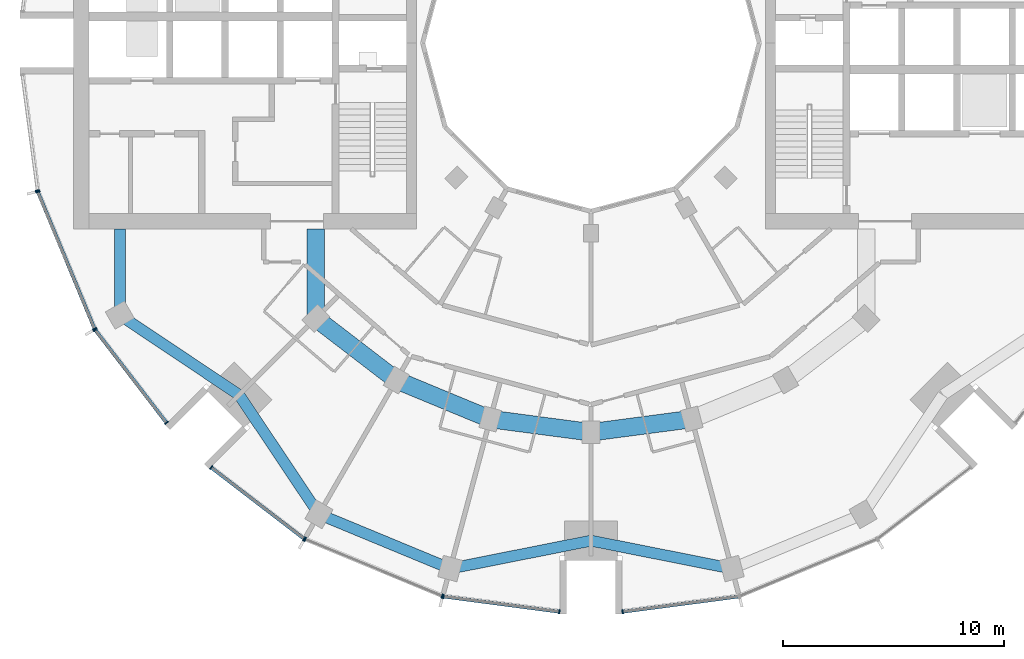
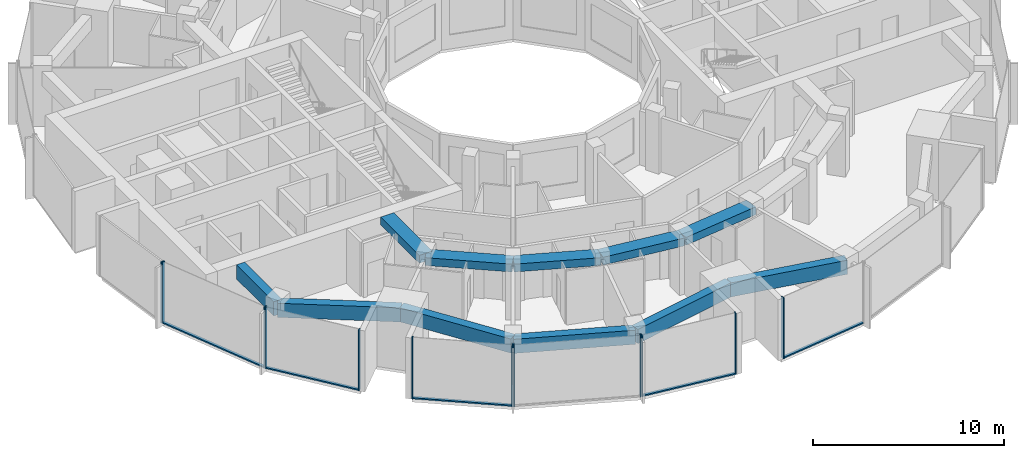
# One storey, part 2 of 15: 17 members, 11 beams, 7 elements without a shape of their own.
"""IFC4 building model written with IfcOpenShell, lengths in metres."""

from ifc_helpers import new_model, si_unit, direction, frame, origin, origin_2d, place, context, subcontext, project, spatial, rectangle, extrude, material, layer, layer_set, material_profile, profile_set, type_object, element, aggregate, save


model = new_model("IFC4")

# Units and contexts
model_context = context("Model", 3, precision=1e-05, world=origin(), true_north=direction((0.0, 1.0)))
body_context = subcontext(model_context, "Body", "Model", "MODEL_VIEW")
ifc_project = project(units=[si_unit("LENGTHUNIT", "METRE"), si_unit("AREAUNIT", "SQUARE_METRE"), si_unit("VOLUMEUNIT", "CUBIC_METRE"), si_unit("PLANEANGLEUNIT", "RADIAN"), si_unit("MASSUNIT", "GRAM", prefix="KILO")], contexts=[model_context])

# Site, building, storey
site_placement = place(None, origin())
site = spatial("IfcSite", under=ifc_project, at=site_placement, CompositionType="ELEMENT")
building_placement = place(site_placement, origin())
building = spatial("IfcBuilding", under=site, at=building_placement, Name="Torre Brocal", CompositionType="ELEMENT")
storey_placement = place(building_placement, frame((0.0, 0.0, 145.800048828125)))
storey = spatial("IfcBuildingStorey", under=building, at=storey_placement, Name="L34", CompositionType="ELEMENT", Elevation=145.800048828125)

# Curtain wall, members
ifc_material_1 = material(Name="Aluminium and glass", Category="aluminium")
ifc_layer_1 = layer(ifc_material_1, 0.199951171875)
ifc_layer_set_1 = layer_set([ifc_layer_1], Name="Aluminium and glass")
curtain_wall_type_1 = type_object("IfcCurtainWallType", Name="CW-1 CURTAIN WALL 3900 HIGH", PredefinedType="NOTDEFINED", material=ifc_layer_set_1)
curtain_wall_1_placement = place(storey_placement, origin())
curtain_wall_1 = element("IfcCurtainWall", 1, at=curtain_wall_1_placement, inside=storey, type_object=curtain_wall_type_1, Name="CW-1 RUN 14", PredefinedType="NOTDEFINED")
ifc_material_2 = material(Name="Aluminium, dark anodised", Category="aluminium")
ifc_material_profile_1 = material_profile(ifc_material_2, rectangle(XDim=0.199951171875, YDim=0.06005859375, at=origin_2d()), Name="CW-1 MULLION 60X200")
ifc_profile_set_1 = profile_set([ifc_material_profile_1], Name="Aluminium, dark anodised")
member_type_1 = type_object("IfcMemberType", Name="CW-1 MULLION 60X200", PredefinedType="MULLION", material=ifc_profile_set_1)
member_1_placement = place(storey_placement, frame((54.994873046875, 68.26904296875, 0.0), z_axis=(0.0, 0.0, 1.0), x_axis=(0.923879532525, 0.382683432333, 0.0)))
member_1 = element("IfcMember", 2, at=member_1_placement, type_object=member_type_1, Name="CW1-3 mullion 1", PredefinedType="MULLION", context=body_context, shape_type="SweptSolid", body=[
    extrude(rectangle(XDim=0.199951171875, YDim=0.06005859375, at=origin_2d()), origin(), (0.0, 0.0, 1.0), 3.89990234375),
])
member_2_placement = place(storey_placement, frame((57.559326171875, 62.078125, 0.0), z_axis=(0.0, 0.0, 1.0), x_axis=(0.923879532525, 0.382683432333, 0.0)))
member_2 = element("IfcMember", 3, at=member_2_placement, type_object=member_type_1, Name="CW1-3 mullion 2", PredefinedType="MULLION", context=body_context, shape_type="SweptSolid", body=[
    extrude(rectangle(XDim=0.199951171875, YDim=0.06005859375, at=origin_2d()), origin(), (0.0, 0.0, 1.0), 3.89990234375),
])

curtain_wall_2_placement = place(storey_placement, origin())
curtain_wall_2 = element("IfcCurtainWall", 4, at=curtain_wall_2_placement, inside=storey, type_object=curtain_wall_type_1, Name="CW-1 RUN 15", PredefinedType="NOTDEFINED")
member_3_placement = place(storey_placement, frame((57.5888671875, 62.026611328125, 0.0), z_axis=(0.0, 0.0, 1.0), x_axis=(0.793353340259, 0.60876142905, 0.0)))
member_3 = element("IfcMember", 5, at=member_3_placement, type_object=member_type_1, Name="CW1-3 mullion 1", PredefinedType="MULLION", context=body_context, shape_type="SweptSolid", body=[
    extrude(rectangle(XDim=0.199951171875, YDim=0.06005859375, at=origin_2d()), origin(), (0.0, 0.0, 1.0), 3.89990234375),
])
member_4_placement = place(storey_placement, frame((60.80859375, 57.83056640625, 0.0), z_axis=(0.0, 0.0, 1.0), x_axis=(0.793353340259, 0.60876142905, 0.0)))
member_4 = element("IfcMember", 6, at=member_4_placement, type_object=member_type_1, Name="CW1-3 mullion 2", PredefinedType="MULLION", context=body_context, shape_type="SweptSolid", body=[
    extrude(rectangle(XDim=0.199951171875, YDim=0.06005859375, at=origin_2d()), origin(), (0.0, 0.0, 1.0), 3.89990234375),
])

curtain_wall_3_placement = place(storey_placement, origin())
curtain_wall_3 = element("IfcCurtainWall", 7, at=curtain_wall_3_placement, inside=storey, type_object=curtain_wall_type_1, Name="CW-1 RUN 16", PredefinedType="NOTDEFINED")
member_5_placement = place(storey_placement, frame((62.83056640625, 55.80859375, 0.0), z_axis=(0.0, 0.0, 1.0), x_axis=(0.60876142905, 0.793353340259, 0.0)))
member_5 = element("IfcMember", 8, at=member_5_placement, type_object=member_type_1, Name="CW1-3 mullion 1", PredefinedType="MULLION", context=body_context, shape_type="SweptSolid", body=[
    extrude(rectangle(XDim=0.199951171875, YDim=0.06005859375, at=origin_2d()), origin(), (0.0, 0.0, 1.0), 3.89990234375),
])
member_6_placement = place(storey_placement, frame((67.026611328125, 52.5888671875, 0.0), z_axis=(0.0, 0.0, 1.0), x_axis=(0.60876142905, 0.793353340259, 0.0)))
member_6 = element("IfcMember", 9, at=member_6_placement, type_object=member_type_1, Name="CW1-3 mullion 2", PredefinedType="MULLION", context=body_context, shape_type="SweptSolid", body=[
    extrude(rectangle(XDim=0.199951171875, YDim=0.06005859375, at=origin_2d()), origin(), (0.0, 0.0, 1.0), 3.89990234375),
])

curtain_wall_4_placement = place(storey_placement, origin())
curtain_wall_4 = element("IfcCurtainWall", 10, at=curtain_wall_4_placement, inside=storey, type_object=curtain_wall_type_1, Name="CW-1 RUN 17", PredefinedType="NOTDEFINED")
member_7_placement = place(storey_placement, frame((67.078125, 52.559326171875, 0.0), z_axis=(0.0, 0.0, 1.0), x_axis=(0.382683432333, 0.923879532525, 0.0)))
member_7 = element("IfcMember", 11, at=member_7_placement, type_object=member_type_1, Name="CW1-3 mullion 1", PredefinedType="MULLION", context=body_context, shape_type="SweptSolid", body=[
    extrude(rectangle(XDim=0.199951171875, YDim=0.06005859375, at=origin_2d()), origin(), (0.0, 0.0, 1.0), 3.89990234375),
])
member_8_placement = place(storey_placement, frame((73.26904296875, 49.994873046875, 0.0), z_axis=(0.0, 0.0, 1.0), x_axis=(0.382683432333, 0.923879532525, 0.0)))
member_8 = element("IfcMember", 12, at=member_8_placement, type_object=member_type_1, Name="CW1-3 mullion 2", PredefinedType="MULLION", context=body_context, shape_type="SweptSolid", body=[
    extrude(rectangle(XDim=0.199951171875, YDim=0.06005859375, at=origin_2d()), origin(), (0.0, 0.0, 1.0), 3.89990234375),
])
aggregate(curtain_wall_4, [member_7, member_8])

curtain_wall_5_placement = place(storey_placement, origin())
curtain_wall_5 = element("IfcCurtainWall", 13, at=curtain_wall_5_placement, inside=storey, type_object=curtain_wall_type_1, Name="CW-1 RUN 18", PredefinedType="NOTDEFINED")
member_9_placement = place(storey_placement, frame((73.32666015625, 49.9794921875, 0.0), z_axis=(0.0, 0.0, 1.0), x_axis=(0.13052619222, 0.991444861374, 0.0)))
member_9 = element("IfcMember", 14, at=member_9_placement, type_object=member_type_1, Name="CW1-3 mullion 1", PredefinedType="MULLION", context=body_context, shape_type="SweptSolid", body=[
    extrude(rectangle(XDim=0.199951171875, YDim=0.06005859375, at=origin_2d()), origin(), (0.0, 0.0, 1.0), 3.89990234375),
])
member_10_placement = place(storey_placement, frame((78.5703125, 49.2890625, 0.0), z_axis=(0.0, 0.0, 1.0), x_axis=(0.13052619222, 0.991444861374, 0.0)))
member_10 = element("IfcMember", 15, at=member_10_placement, type_object=member_type_1, Name="CW1-3 mullion 2", PredefinedType="MULLION", context=body_context, shape_type="SweptSolid", body=[
    extrude(rectangle(XDim=0.199951171875, YDim=0.06005859375, at=origin_2d()), origin(), (0.0, 0.0, 1.0), 3.89990234375),
])

# Curtain wall, member
curtain_wall_6_placement = place(storey_placement, origin())
curtain_wall_6 = element("IfcCurtainWall", 16, at=curtain_wall_6_placement, inside=storey, type_object=curtain_wall_type_1, Name="CW-1 RUN 19", PredefinedType="NOTDEFINED")
member_11_placement = place(storey_placement, frame((81.4296875, 49.2890625, 0.0), z_axis=(0.0, 0.0, 1.0), x_axis=(-0.13052619222, 0.991444861374, 0.0)))
member_11 = element("IfcMember", 17, at=member_11_placement, type_object=member_type_1, Name="CW1-3 mullion 1", PredefinedType="MULLION", context=body_context, shape_type="SweptSolid", body=[
    extrude(rectangle(XDim=0.199951171875, YDim=0.06005859375, at=origin_2d()), origin(), (0.0, 0.0, 1.0), 3.89990234375),
])

# Member
ifc_material_3 = material(Name="Aluminium, dark anodised", Category="aluminium")
ifc_material_profile_2 = material_profile(ifc_material_3, rectangle(XDim=0.159912109375, YDim=0.080078125, at=origin_2d()), Name="CW-1 TRANSOM 160X80")
ifc_profile_set_2 = profile_set([ifc_material_profile_2], Name="Aluminium, dark anodised")
member_type_2 = type_object("IfcMemberType", Name="CW-1 TRANSOM 160X80", PredefinedType="USERDEFINED", material=ifc_profile_set_2)
member_12_placement = place(storey_placement, frame((55.00634765625, 68.241455078125, 0.0400390625), z_axis=(0.38266457234, -0.923887344364, 0.0), x_axis=(0.923887344364, 0.38266457234, 0.0)))
member_12 = element("IfcMember", 18, at=member_12_placement, type_object=member_type_2, Name="CW1-3 transom 1.1", ObjectType="TRANSOM", PredefinedType="USERDEFINED", context=body_context, shape_type="SweptSolid", body=[
    extrude(rectangle(XDim=0.159912109375, YDim=0.080078125, at=origin_2d()), origin(), (0.0, 0.0, 1.0), 6.640869140625),
])

aggregate(curtain_wall_1, [member_1, member_2, member_12])

member_13_placement = place(storey_placement, frame((57.607177734375, 62.0029296875, 0.0400390625), z_axis=(0.60874908096, -0.79336281513, 0.0), x_axis=(0.79336281513, 0.60874908096, 0.0)))
member_13 = element("IfcMember", 19, at=member_13_placement, type_object=member_type_2, Name="CW1-3 transom 1.1", ObjectType="TRANSOM", PredefinedType="USERDEFINED", context=body_context, shape_type="SweptSolid", body=[
    extrude(rectangle(XDim=0.159912109375, YDim=0.080078125, at=origin_2d()), origin(), (0.0, 0.0, 1.0), 5.22900390625),
])

aggregate(curtain_wall_2, [member_3, member_4, member_13])

member_14_placement = place(storey_placement, frame((62.8544921875, 55.790283203125, 0.0400390625), z_axis=(0.79336281513, -0.60874908096, 0.0), x_axis=(0.60874908096, 0.79336281513, 0.0)))
member_14 = element("IfcMember", 20, at=member_14_placement, type_object=member_type_2, Name="CW1-3 transom 1.1", ObjectType="TRANSOM", PredefinedType="USERDEFINED", context=body_context, shape_type="SweptSolid", body=[
    extrude(rectangle(XDim=0.159912109375, YDim=0.080078125, at=origin_2d()), origin(), (0.0, 0.0, 1.0), 5.22900390625),
])

aggregate(curtain_wall_3, [member_5, member_6, member_14])

member_15_placement = place(storey_placement, frame((73.356201171875, 49.9755859375, 0.0400390625), z_axis=(0.991442690863, -0.130542677827, 0.0), x_axis=(0.130542677827, 0.991442690863, 0.0)))
member_15 = element("IfcMember", 21, at=member_15_placement, type_object=member_type_2, Name="CW1-3 transom 1.1", ObjectType="TRANSOM", PredefinedType="USERDEFINED", context=body_context, shape_type="SweptSolid", body=[
    extrude(rectangle(XDim=0.159912109375, YDim=0.080078125, at=origin_2d()), origin(), (0.0, 0.0, 1.0), 5.22900390625),
])

aggregate(curtain_wall_5, [member_9, member_10, member_15])

member_16_placement = place(storey_placement, frame((81.45947265625, 49.29296875, 0.0400390625), z_axis=(0.991442690863, 0.130542677827, 0.0), x_axis=(-0.130542677827, 0.991442690863, 0.0)))
member_16 = element("IfcMember", 22, at=member_16_placement, type_object=member_type_2, Name="CW1-3 transom 1.1", ObjectType="TRANSOM", PredefinedType="USERDEFINED", context=body_context, shape_type="SweptSolid", body=[
    extrude(rectangle(XDim=0.159912109375, YDim=0.080078125, at=origin_2d()), origin(), (0.0, 0.0, 1.0), 5.22900390625),
])

aggregate(curtain_wall_6, [member_11, member_16])

# Curtain wall, member
ifc_material_4 = material(Name="Aluminium and glass", Category="aluminium")
ifc_layer_2 = layer(ifc_material_4, 0.199951171875)
ifc_layer_set_2 = layer_set([ifc_layer_2], Name="Aluminium and glass")
curtain_wall_type_2 = type_object("IfcCurtainWallType", Name="CW-1B CURTAIN WALL 3900 HIGH", PredefinedType="NOTDEFINED", material=ifc_layer_set_2)
curtain_wall_7_placement = place(storey_placement, origin())
curtain_wall_7 = element("IfcCurtainWall", 23, at=curtain_wall_7_placement, inside=storey, type_object=curtain_wall_type_2, Name="CW-1B RUN 13", PredefinedType="NOTDEFINED")
ifc_material_5 = material(Name="Aluminium, dark anodised", Category="aluminium")
ifc_material_profile_3 = material_profile(ifc_material_5, rectangle(XDim=0.199951171875, YDim=0.06005859375, at=origin_2d()), Name="CW-1B MULLION 60X200")
ifc_profile_set_3 = profile_set([ifc_material_profile_3], Name="Aluminium, dark anodised")
member_type_3 = type_object("IfcMemberType", Name="CW-1B MULLION 60X200", PredefinedType="MULLION", material=ifc_profile_set_3)
member_17_placement = place(storey_placement, frame((54.9794921875, 68.32666015625, 0.0), z_axis=(0.0, 0.0, 1.0), x_axis=(0.991444861374, 0.13052619222, 0.0)))
member_17 = element("IfcMember", 24, at=member_17_placement, type_object=member_type_3, Name="CW1B-3 mullion 2", PredefinedType="MULLION", context=body_context, shape_type="SweptSolid", body=[
    extrude(rectangle(XDim=0.199951171875, YDim=0.06005859375, at=origin_2d()), origin(), (0.0, 0.0, 1.0), 3.89990234375),
])
aggregate(curtain_wall_7, [member_17])

# Beams
ifc_material_6 = material(Name="Concrete C50", Category="concrete")
ifc_material_profile_4 = material_profile(ifc_material_6, rectangle(XDim=0.800048828125, YDim=0.5, at=origin_2d()), Name="RC 800X500")
ifc_profile_set_4 = profile_set([ifc_material_profile_4], Name="Concrete C50")
beam_type_1 = type_object("IfcBeamType", Name="RC BEAM 800X500 C50 TOP 3500", PredefinedType="BEAM", material=ifc_profile_set_4)
beam_1_placement = place(storey_placement, frame((67.554931640625, 62.554931640625, 3.25), z_axis=(0.0, 1.0, 0.0), x_axis=(-1.0, 0.0, 0.0)))
element("IfcBeam", 25, at=beam_1_placement, inside=storey, type_object=beam_type_1, Name="Beam BT-30", PredefinedType="BEAM", context=body_context, shape_type="SweptSolid", body=[
    extrude(rectangle(XDim=0.800048828125, YDim=0.5, at=origin_2d()), origin(), (0.0, 0.0, 1.0), 4.045166015625),
])
beam_2_placement = place(storey_placement, frame((67.554931640625, 62.554931640625, 3.25), z_axis=(0.793358265959, -0.6087550097, 0.0), x_axis=(0.6087550097, 0.793358265959, 0.0)))
element("IfcBeam", 26, at=beam_2_placement, inside=storey, type_object=beam_type_1, Name="Beam BT-30", PredefinedType="BEAM", context=body_context, shape_type="SweptSolid", body=[
    extrude(rectangle(XDim=0.800048828125, YDim=0.5, at=origin_2d()), origin(), (0.0, 0.0, 1.0), 4.594482421875),
])
beam_3_placement = place(storey_placement, frame((71.199951171875, 59.758056640625, 3.25), z_axis=(0.923878240166, -0.382686552348, 0.0), x_axis=(0.382686552348, 0.923878240166, 0.0)))
element("IfcBeam", 27, at=beam_3_placement, inside=storey, type_object=beam_type_1, Name="Beam BT-30", PredefinedType="BEAM", context=body_context, shape_type="SweptSolid", body=[
    extrude(rectangle(XDim=0.800048828125, YDim=0.5, at=origin_2d()), origin(), (0.0, 0.0, 1.0), 4.5947265625),
])
for number, where, z_axis, x_axis, name in (
    (28, (75.44482421875, 57.999755859375, 3.25), (0.991440544449, -0.130558978332, 0.0), (0.130558978332, 0.991440544449, 0.0), "Beam BT-30"),
    (29, (80.0, 57.39990234375, 3.25), (0.991440544449, 0.130558978332, 0.0), (-0.130558978332, 0.991440544449, 0.0), "Beam BT-30"),
):
    element("IfcBeam", number, at=place(storey_placement, frame(where, z_axis=z_axis, x_axis=x_axis)), inside=storey, type_object=beam_type_1, Name=name, PredefinedType="BEAM", context=body_context, shape_type="SweptSolid", body=[
        extrude(rectangle(XDim=0.800048828125, YDim=0.5, at=origin_2d()), origin(), (0.0, 0.0, 1.0), 4.594482421875),
    ])
ifc_material_7 = material(Name="Concrete C50", Category="concrete")
ifc_material_profile_5 = material_profile(ifc_material_7, rectangle(XDim=0.5, YDim=0.89990234375, at=origin_2d()), Name="RC 500X900")
ifc_profile_set_5 = profile_set([ifc_material_profile_5], Name="Concrete C50")
beam_type_2 = type_object("IfcBeamType", Name="RC SPANDREL BEAM 500X900 C50 TOP 3500", PredefinedType="SPANDREL", material=ifc_profile_set_5)
beam_4_placement = place(storey_placement, frame((58.69580078125, 62.699951171875, 3.050048828125), z_axis=(0.0, 1.0, 0.0), x_axis=(-1.0, 0.0, 0.0)))
element("IfcBeam", 30, at=beam_4_placement, inside=storey, type_object=beam_type_2, Name="Beam BT-31", PredefinedType="SPANDREL", context=body_context, shape_type="SweptSolid", body=[
    extrude(rectangle(XDim=0.5, YDim=0.89990234375, at=origin_2d()), origin(), (0.0, 0.0, 1.0), 3.900146484375),
])
for number, where, z_axis, x_axis, name in (
    (31, (58.69580078125, 62.699951171875, 3.050048828125), (0.831076844476, -0.556157602282, 0.0), (0.556157602282, 0.831076844476, 0.0), "Beam BT-31"),
    (32, (64.090087890625, 59.090087890625, 3.050048828125), (0.556157602282, -0.831076844476, 0.0), (0.831076844476, 0.556157602282, 0.0), "Beam BT-31"),
):
    element("IfcBeam", number, at=place(storey_placement, frame(where, z_axis=z_axis, x_axis=x_axis)), inside=storey, type_object=beam_type_2, Name=name, PredefinedType="SPANDREL", context=body_context, shape_type="SweptSolid", body=[
        extrude(rectangle(XDim=0.5, YDim=0.89990234375, at=origin_2d()), origin(), (0.0, 0.0, 1.0), 6.49072265625),
    ])
beam_5_placement = place(storey_placement, frame((67.699951171875, 53.69580078125, 3.050048828125), z_axis=(0.923882462513, -0.382676358639, 0.0), x_axis=(0.382676358639, 0.923882462513, 0.0)))
element("IfcBeam", 33, at=beam_5_placement, inside=storey, type_object=beam_type_2, Name="Beam BT-31", PredefinedType="SPANDREL", context=body_context, shape_type="SweptSolid", body=[
    extrude(rectangle(XDim=0.5, YDim=0.89990234375, at=origin_2d()), origin(), (0.0, 0.0, 1.0), 6.421875),
])
for number, where, z_axis, x_axis, name in (
    (34, (73.633056640625, 51.23828125, 3.050048828125), (0.980924907484, 0.194387051723, 0.0), (-0.194387051723, 0.980924907484, 0.0), "Beam BT-31"),
    (35, (80.0, 52.5, 3.050048828125), (0.980924907484, -0.194387051723, 0.0), (0.194387051723, 0.980924907484, 0.0), "Beam BT-31"),
):
    element("IfcBeam", number, at=place(storey_placement, frame(where, z_axis=z_axis, x_axis=x_axis)), inside=storey, type_object=beam_type_2, Name=name, PredefinedType="SPANDREL", context=body_context, shape_type="SweptSolid", body=[
        extrude(rectangle(XDim=0.5, YDim=0.89990234375, at=origin_2d()), origin(), (0.0, 0.0, 1.0), 6.49072265625),
    ])

save(model, "model.ifc")
